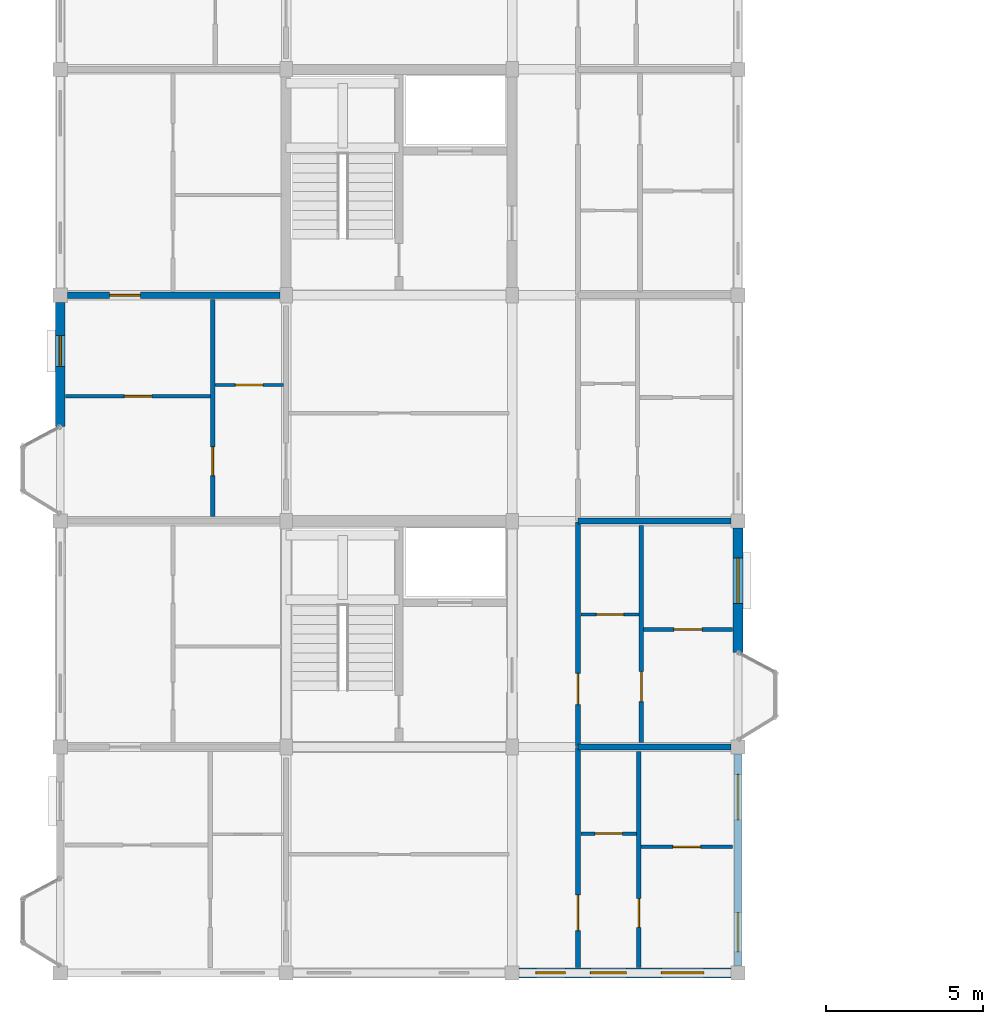
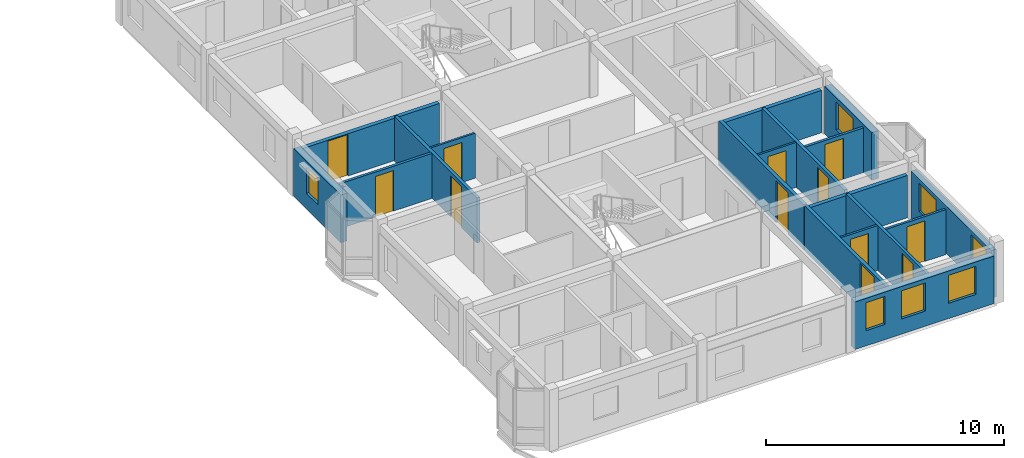
# One storey, part 13 of 23: 18 walls, 12 doors, 7 windows, 19 openings.
"""IFC4 building model written with IfcOpenShell, lengths in metres."""

from ifc_helpers import new_model, si_unit, direction, frame, frame_2d, origin, place, context, subcontext, project, spatial, rectangle, extrude, material, layer, layer_set, type_object, element, fill, save


model = new_model("IFC4")

# Units and contexts
model_context = context("Model", 3, precision=1e-05, world=origin(), true_north=direction((0.0, 1.0)))
body_context = subcontext(model_context, "Body", "Model", "MODEL_VIEW")
ifc_project = project(units=[si_unit("LENGTHUNIT", "METRE"), si_unit("AREAUNIT", "SQUARE_METRE"), si_unit("VOLUMEUNIT", "CUBIC_METRE"), si_unit("PLANEANGLEUNIT", "RADIAN"), si_unit("MASSUNIT", "GRAM", prefix="KILO"), si_unit("THERMODYNAMICTEMPERATUREUNIT", "KELVIN"), si_unit("POWERUNIT", "WATT")], contexts=[model_context])

# Site, building, storey
site_placement = place(None, origin())
site = spatial("IfcSite", under=ifc_project, at=site_placement, CompositionType="ELEMENT")
building_placement = place(site_placement, origin())
building = spatial("IfcBuilding", under=site, at=building_placement, Name="Tavuni Mirador Residences", CompositionType="ELEMENT")
storey_placement = place(building_placement, frame((0.0, 0.0, 42.300048828125)))
storey = spatial("IfcBuildingStorey", under=building, at=storey_placement, Name="L13", CompositionType="ELEMENT", Elevation=42.300048828125)

# Wall, opening, door
ifc_material_1 = material(Name="Precast concrete C40/50", Category="concrete")
ifc_layer_1 = layer(ifc_material_1, 0.1650390625, Name="Precast concrete C40/50", Category="concrete")
ifc_layer_set_1 = layer_set([ifc_layer_1], Name="Precast concrete C40/50")
wall_type_1 = type_object("IfcWallType", Name="WT-CORR165", PredefinedType="PARTITIONING", material=ifc_layer_set_1)
wall_1_placement = place(storey_placement, frame((20.10009765625, 7.375, 0.0), z_axis=(0.0, 0.0, 1.0), x_axis=(0.0, 1.0, 0.0)))
wall_1 = element("IfcWall", 1, at=wall_1_placement, inside=storey, type_object=wall_type_1, Name="CORW-BLK-A-L13-0-00", PredefinedType="PARTITIONING", context=body_context, shape_type="SweptSolid", body=[
    extrude(rectangle(XDim=7.0048828125, YDim=0.1650390625, at=frame_2d((3.50244140625, 0.0))), origin(), (0.0, 0.0, 1.0), 2.304931640625),
])
opening_1_placement = place(wall_1_placement, frame((1.175048828125, 0.0, 0.0)))
opening_1 = element("IfcOpeningElement", 2, at=opening_1_placement, cuts=wall_1, Name="Opening D-20", PredefinedType="OPENING", context=body_context, shape_type="SweptSolid", body=[
    extrude(rectangle(XDim=1.139892578125, YDim=2.179931640625, at=frame_2d((0.56982421875, 1.08984375))), frame((0.0, 0.092529296875, 0.0), z_axis=(0.0, -1.0, 0.0), x_axis=(1.0, 0.0, 0.0)), (0.0, 0.0, 1.0), 0.18505859375),
])
ifc_material_2 = material(Name="Solid core iroko timber", Category="wood")
door_type_1 = type_object("IfcDoorType", Name="DT-FD60-1140", OperationType="NOTDEFINED", PredefinedType="DOOR", material=ifc_material_2)
door_1_placement = place(opening_1_placement, origin())
door_1 = element("IfcDoor", 3, at=door_1_placement, inside=storey, type_object=door_type_1, Name="DR-2501", OperationType="SINGLE_SWING_RIGHT", OverallHeight=2.179931640625, OverallWidth=1.139892578125, PredefinedType="DOOR", context=body_context, shape_type="SweptSolid", body=[
    extrude(rectangle(XDim=1.139892578125, YDim=2.179931640625, at=frame_2d((0.56982421875, 1.08984375))), frame((0.0, 0.02490234375, 0.0), z_axis=(0.0, -1.0, 0.0), x_axis=(1.0, 0.0, 0.0)), (0.0, 0.0, 1.0), 0.050048828125),
])
fill(opening_1, door_1)

wall_2_placement = place(storey_placement, frame((20.10009765625, 14.419921875, 0.0), z_axis=(0.0, 0.0, 1.0), x_axis=(0.0, 1.0, 0.0)))
wall_2 = element("IfcWall", 4, at=wall_2_placement, inside=storey, type_object=wall_type_1, Name="CORW-BLK-A-L13-0-01", PredefinedType="PARTITIONING", context=body_context, shape_type="SweptSolid", body=[
    extrude(rectangle(XDim=7.16015625, YDim=0.1650390625, at=frame_2d((3.580078125, 0.0))), origin(), (0.0, 0.0, 1.0), 2.304931640625),
])
opening_2_placement = place(wall_2_placement, frame((1.330078125, 0.0, 0.0)))
opening_2 = element("IfcOpeningElement", 5, at=opening_2_placement, cuts=wall_2, Name="Opening D-03", PredefinedType="OPENING", context=body_context, shape_type="SweptSolid", body=[
    extrude(rectangle(XDim=1.0, YDim=2.14990234375, at=frame_2d((0.5, 1.074951171875))), frame((0.0, 0.092529296875, 0.0), z_axis=(0.0, -1.0, 0.0), x_axis=(1.0, 0.0, 0.0)), (0.0, 0.0, 1.0), 0.18505859375),
])
door_type_2 = type_object("IfcDoorType", Name="DT-FD60-1000", OperationType="NOTDEFINED", PredefinedType="DOOR", material=ifc_material_2)
door_2_placement = place(opening_2_placement, origin())
door_2 = element("IfcDoor", 6, at=door_2_placement, inside=storey, type_object=door_type_2, Name="DR-2502", OperationType="SINGLE_SWING_LEFT", OverallHeight=2.14990234375, OverallWidth=1.0, PredefinedType="DOOR", context=body_context, shape_type="SweptSolid", body=[
    extrude(rectangle(XDim=1.0, YDim=2.14990234375, at=frame_2d((0.5, 1.074951171875))), frame((0.0, 0.02490234375, 0.0), z_axis=(0.0, -1.0, 0.0), x_axis=(1.0, 0.0, 0.0)), (0.0, 0.0, 1.0), 0.050048828125),
])
fill(opening_2, door_2)

# Wall, opening, window
ifc_layer_2 = layer(ifc_material_1, 0.330078125, Name="Precast concrete C40/50", Category="concrete")
ifc_layer_set_2 = layer_set([ifc_layer_2], Name="Precast concrete C40/50")
wall_type_2 = type_object("IfcWallType", Name="WT-EXT-COR330", PredefinedType="SOLIDWALL", material=ifc_layer_set_2)
wall_3_placement = place(storey_placement, frame((25.199951171875, 17.419921875, 0.0), z_axis=(0.0, 0.0, 1.0), x_axis=(0.0, 1.0, 0.0)))
wall_3 = element("IfcWall", 7, at=wall_3_placement, inside=storey, type_object=wall_type_2, Name="EW-BLK-A-L13-E01", PredefinedType="SOLIDWALL", context=body_context, shape_type="SweptSolid", body=[
    extrude(rectangle(XDim=3.955078125, YDim=0.330078125, at=frame_2d((1.9775390625, 0.0))), origin(), (0.0, 0.0, 1.0), 2.43994140625),
])
opening_3_placement = place(wall_3_placement, frame((1.5576171875, 0.0, 0.780029296875)))
opening_3 = element("IfcOpeningElement", 8, at=opening_3_placement, cuts=wall_3, Name="Opening WN-30", PredefinedType="OPENING", context=body_context, shape_type="SweptSolid", body=[
    extrude(rectangle(XDim=1.449951171875, YDim=1.43994140625, at=frame_2d((0.72509765625, 0.719970703125))), frame((0.0, 0.175048828125, 0.0), z_axis=(0.0, -1.0, 0.0), x_axis=(1.0, 0.0, 0.0)), (0.0, 0.0, 1.0), 0.35009765625),
])
ifc_material_3 = material(Name="Laminated solar-control glass", Category="glass")
window_type_1 = type_object("IfcWindowType", Name="WNT-30", PartitioningType="SINGLE_PANEL", PredefinedType="WINDOW", material=ifc_material_3)
window_1_placement = place(opening_3_placement, origin())
window_1 = element("IfcWindow", 9, at=window_1_placement, inside=storey, type_object=window_type_1, Name="WIN-0466", OverallHeight=1.43994140625, OverallWidth=1.449951171875, PartitioningType="SINGLE_PANEL", PredefinedType="WINDOW", context=body_context, shape_type="SweptSolid", body=[
    extrude(rectangle(XDim=1.449951171875, YDim=1.43994140625, at=frame_2d((0.72509765625, 0.719970703125))), frame((0.0, 0.030029296875, 0.0), z_axis=(0.0, -1.0, 0.0), x_axis=(1.0, 0.0, 0.0)), (0.0, 0.0, 1.0), 0.06005859375),
])
fill(opening_3, window_1)

# Wall, openings, windows
ifc_material_4 = material(Name="Sgraffito lime-rendered precast concrete C40/50", Category="concrete")
ifc_layer_3 = layer(ifc_material_4, 0.2451171875, Name="Sgraffito lime-rendered precast concrete C40/50", Category="concrete")
ifc_layer_set_3 = layer_set([ifc_layer_3], Name="Sgraffito lime-rendered precast concrete C40/50")
wall_type_3 = type_object("IfcWallType", Name="WT-EXT-PC245", PredefinedType="SOLIDWALL", material=ifc_layer_set_3)
wall_4_placement = place(storey_placement, frame((25.199951171875, 7.425048828125, 0.0), z_axis=(0.0, 0.0, 1.0), x_axis=(0.0, 1.0, 0.0)))
wall_4 = element("IfcWall", 10, at=wall_4_placement, inside=storey, type_object=wall_type_3, Name="EW-BLK-A-L13-E00", PredefinedType="SOLIDWALL", context=body_context, shape_type="SweptSolid", body=[
    extrude(rectangle(XDim=6.75, YDim=0.2451171875, at=frame_2d((3.375, 0.0))), origin(), (0.0, 0.0, 1.0), 2.43994140625),
])
opening_4_placement = place(wall_4_placement, frame((0.449951171875, 0.0, 0.780029296875)))
opening_4 = element("IfcOpeningElement", 11, at=opening_4_placement, cuts=wall_4, Name="Opening WN-28", PredefinedType="OPENING", context=body_context, shape_type="SweptSolid", body=[
    extrude(rectangle(XDim=1.25, YDim=1.43994140625, at=frame_2d((0.625, 0.719970703125))), frame((0.0, 0.132568359375, 0.0), z_axis=(0.0, -1.0, 0.0), x_axis=(1.0, 0.0, 0.0)), (0.0, 0.0, 1.0), 0.26513671875),
])
opening_5_placement = place(wall_4_placement, frame((4.64990234375, 0.0, 0.780029296875)))
opening_5 = element("IfcOpeningElement", 12, at=opening_5_placement, cuts=wall_4, Name="Opening WN-30", PredefinedType="OPENING", context=body_context, shape_type="SweptSolid", body=[
    extrude(rectangle(XDim=1.449951171875, YDim=1.43994140625, at=frame_2d((0.72509765625, 0.719970703125))), frame((0.0, 0.132568359375, 0.0), z_axis=(0.0, -1.0, 0.0), x_axis=(1.0, 0.0, 0.0)), (0.0, 0.0, 1.0), 0.26513671875),
])
window_type_2 = type_object("IfcWindowType", Name="WNT-28", PartitioningType="SINGLE_PANEL", PredefinedType="WINDOW", material=ifc_material_3)
window_2_placement = place(opening_4_placement, origin())
window_2 = element("IfcWindow", 13, at=window_2_placement, inside=storey, type_object=window_type_2, Name="WIN-0464", OverallHeight=1.43994140625, OverallWidth=1.25, PartitioningType="SINGLE_PANEL", PredefinedType="WINDOW", context=body_context, shape_type="SweptSolid", body=[
    extrude(rectangle(XDim=1.25, YDim=1.43994140625, at=frame_2d((0.625, 0.719970703125))), frame((0.0, 0.030029296875, 0.0), z_axis=(0.0, -1.0, 0.0), x_axis=(1.0, 0.0, 0.0)), (0.0, 0.0, 1.0), 0.06005859375),
])
fill(opening_4, window_2)
window_3_placement = place(opening_5_placement, origin())
window_3 = element("IfcWindow", 14, at=window_3_placement, inside=storey, type_object=window_type_1, Name="WIN-0465", OverallHeight=1.43994140625, OverallWidth=1.449951171875, PartitioningType="SINGLE_PANEL", PredefinedType="WINDOW", context=body_context, shape_type="SweptSolid", body=[
    extrude(rectangle(XDim=1.449951171875, YDim=1.43994140625, at=frame_2d((0.72509765625, 0.719970703125))), frame((0.0, 0.030029296875, 0.0), z_axis=(0.0, -1.0, 0.0), x_axis=(1.0, 0.0, 0.0)), (0.0, 0.0, 1.0), 0.06005859375),
])
fill(opening_5, window_3)

ifc_layer_4 = layer(ifc_material_4, 0.31494140625, Name="Sgraffito lime-rendered precast concrete C40/50", Category="concrete")
ifc_layer_set_4 = layer_set([ifc_layer_4], Name="Sgraffito lime-rendered precast concrete C40/50")
wall_type_4 = type_object("IfcWallType", Name="WT-EXT-PC315", PredefinedType="SOLIDWALL", material=ifc_layer_set_4)
wall_5_placement = place(storey_placement, frame((18.22509765625, 7.199951171875, 0.0), z_axis=(0.0, 0.0, 1.0), x_axis=(1.0, 0.0, 0.0)))
wall_5 = element("IfcWall", 15, at=wall_5_placement, inside=storey, type_object=wall_type_4, Name="EW-BLK-A-L13-S02", PredefinedType="SOLIDWALL", context=body_context, shape_type="SweptSolid", body=[
    extrude(rectangle(XDim=6.75, YDim=0.31494140625, at=frame_2d((3.375, 0.0))), origin(), (0.0, 0.0, 1.0), 2.43994140625),
])
opening_6_placement = place(wall_5_placement, frame((0.53759765625, 0.0, 0.780029296875)))
opening_6 = element("IfcOpeningElement", 16, at=opening_6_placement, cuts=wall_5, Name="Opening WN-25", PredefinedType="OPENING", context=body_context, shape_type="SweptSolid", body=[
    extrude(rectangle(XDim=0.93994140625, YDim=1.43994140625, at=frame_2d((0.469970703125, 0.719970703125))), frame((0.0, 0.16748046875, 0.0), z_axis=(0.0, -1.0, 0.0), x_axis=(1.0, 0.0, 0.0)), (0.0, 0.0, 1.0), 0.3349609375),
])
opening_7_placement = place(wall_5_placement, frame((2.27001953125, 0.0, 0.780029296875)))
opening_7 = element("IfcOpeningElement", 17, at=opening_7_placement, cuts=wall_5, Name="Opening WN-27", PredefinedType="OPENING", context=body_context, shape_type="SweptSolid", body=[
    extrude(rectangle(XDim=1.14990234375, YDim=1.43994140625, at=frame_2d((0.574951171875, 0.719970703125))), frame((0.0, 0.16748046875, 0.0), z_axis=(0.0, -1.0, 0.0), x_axis=(1.0, 0.0, 0.0)), (0.0, 0.0, 1.0), 0.3349609375),
])
opening_8_placement = place(wall_5_placement, frame((4.53759765625, 0.0, 0.780029296875)))
opening_8 = element("IfcOpeningElement", 18, at=opening_8_placement, cuts=wall_5, Name="Opening WN-29", PredefinedType="OPENING", context=body_context, shape_type="SweptSolid", body=[
    extrude(rectangle(XDim=1.35009765625, YDim=1.43994140625, at=frame_2d((0.675048828125, 0.719970703125))), frame((0.0, 0.16748046875, 0.0), z_axis=(0.0, -1.0, 0.0), x_axis=(1.0, 0.0, 0.0)), (0.0, 0.0, 1.0), 0.3349609375),
])
window_type_3 = type_object("IfcWindowType", Name="WNT-25", PartitioningType="SINGLE_PANEL", PredefinedType="WINDOW", material=ifc_material_3)
window_4_placement = place(opening_6_placement, origin())
window_4 = element("IfcWindow", 19, at=window_4_placement, inside=storey, type_object=window_type_3, Name="WIN-0461", OverallHeight=1.43994140625, OverallWidth=0.93994140625, PartitioningType="SINGLE_PANEL", PredefinedType="WINDOW", context=body_context, shape_type="SweptSolid", body=[
    extrude(rectangle(XDim=0.93994140625, YDim=1.43994140625, at=frame_2d((0.469970703125, 0.719970703125))), frame((0.0, 0.030029296875, 0.0), z_axis=(0.0, -1.0, 0.0), x_axis=(1.0, 0.0, 0.0)), (0.0, 0.0, 1.0), 0.06005859375),
])
fill(opening_6, window_4)
window_type_4 = type_object("IfcWindowType", Name="WNT-27", PartitioningType="SINGLE_PANEL", PredefinedType="WINDOW", material=ifc_material_3)
window_5_placement = place(opening_7_placement, origin())
window_5 = element("IfcWindow", 20, at=window_5_placement, inside=storey, type_object=window_type_4, Name="WIN-0462", OverallHeight=1.43994140625, OverallWidth=1.14990234375, PartitioningType="SINGLE_PANEL", PredefinedType="WINDOW", context=body_context, shape_type="SweptSolid", body=[
    extrude(rectangle(XDim=1.14990234375, YDim=1.43994140625, at=frame_2d((0.574951171875, 0.719970703125))), frame((0.0, 0.030029296875, 0.0), z_axis=(0.0, -1.0, 0.0), x_axis=(1.0, 0.0, 0.0)), (0.0, 0.0, 1.0), 0.06005859375),
])
fill(opening_7, window_5)
window_type_5 = type_object("IfcWindowType", Name="WNT-29", PartitioningType="SINGLE_PANEL", PredefinedType="WINDOW", material=ifc_material_3)
window_6_placement = place(opening_8_placement, origin())
window_6 = element("IfcWindow", 21, at=window_6_placement, inside=storey, type_object=window_type_5, Name="WIN-0463", OverallHeight=1.43994140625, OverallWidth=1.35009765625, PartitioningType="SINGLE_PANEL", PredefinedType="WINDOW", context=body_context, shape_type="SweptSolid", body=[
    extrude(rectangle(XDim=1.35009765625, YDim=1.43994140625, at=frame_2d((0.675048828125, 0.719970703125))), frame((0.0, 0.030029296875, 0.0), z_axis=(0.0, -1.0, 0.0), x_axis=(1.0, 0.0, 0.0)), (0.0, 0.0, 1.0), 0.06005859375),
])
fill(opening_8, window_6)

# Wall, opening, window
wall_6_placement = place(storey_placement, frame((3.60009765625, 28.574951171875, 0.0), z_axis=(0.0, 0.0, 1.0), x_axis=(0.0, -1.0, 0.0)))
wall_6 = element("IfcWall", 22, at=wall_6_placement, inside=storey, type_object=wall_type_4, Name="EW-BLK-A-L13-W02", PredefinedType="SOLIDWALL", context=body_context, shape_type="SweptSolid", body=[
    extrude(rectangle(XDim=3.954833984375, YDim=0.31494140625, at=frame_2d((1.9775390625, 0.0))), origin(), (0.0, 0.0, 1.0), 2.43994140625),
])
opening_9_placement = place(wall_6_placement, frame((1.0625, 0.0, 0.780029296875)))
opening_9 = element("IfcOpeningElement", 23, at=opening_9_placement, cuts=wall_6, Name="Opening WN-18", PredefinedType="OPENING", context=body_context, shape_type="SweptSolid", body=[
    extrude(rectangle(XDim=0.97998046875, YDim=1.360107421875, at=frame_2d((0.489990234375, 0.68017578125))), frame((0.0, 0.16748046875, 0.0), z_axis=(0.0, -1.0, 0.0), x_axis=(1.0, 0.0, 0.0)), (0.0, 0.0, 1.0), 0.3349609375),
])
window_type_6 = type_object("IfcWindowType", Name="WNT-18", PartitioningType="SINGLE_PANEL", PredefinedType="WINDOW", material=ifc_material_3)
window_7_placement = place(opening_9_placement, origin())
window_7 = element("IfcWindow", 24, at=window_7_placement, inside=storey, type_object=window_type_6, Name="WIN-0484", OverallHeight=1.360107421875, OverallWidth=0.97998046875, PartitioningType="SINGLE_PANEL", PredefinedType="WINDOW", context=body_context, shape_type="SweptSolid", body=[
    extrude(rectangle(XDim=0.97998046875, YDim=1.360107421875, at=frame_2d((0.489990234375, 0.68017578125))), frame((0.0, 0.030029296875, 0.0), z_axis=(0.0, -1.0, 0.0), x_axis=(1.0, 0.0, 0.0)), (0.0, 0.0, 1.0), 0.06005859375),
])
fill(opening_9, window_7)

# Wall, opening, door
ifc_material_5 = material(Name="Acoustic gypsum and concrete block partition", Category="concrete")
ifc_layer_5 = layer(ifc_material_5, 0.094970703125, Name="Acoustic gypsum and concrete block partition", Category="concrete")
ifc_layer_set_5 = layer_set([ifc_layer_5], Name="Acoustic gypsum and concrete block partition")
wall_type_5 = type_object("IfcWallType", Name="WT-PART095", PredefinedType="PARTITIONING", material=ifc_layer_set_5)
wall_7_placement = place(storey_placement, frame((20.18994140625, 18.6201171875, 0.0), z_axis=(0.0, 0.0, 1.0), x_axis=(1.0, 0.0, 0.0)))
wall_7 = element("IfcWall", 25, at=wall_7_placement, inside=storey, type_object=wall_type_5, Name="PW-BLK-A-L13-E01-IN1", PredefinedType="PARTITIONING", context=body_context, shape_type="SweptSolid", body=[
    extrude(rectangle(XDim=1.860107421875, YDim=0.094970703125, at=frame_2d((0.93017578125, 0.0))), origin(), (0.0, 0.0, 1.0), 2.304931640625),
])
opening_10_placement = place(wall_7_placement, frame((0.4951171875, 0.0, 0.0)))
opening_10 = element("IfcOpeningElement", 26, at=opening_10_placement, cuts=wall_7, Name="Opening D-10", PredefinedType="OPENING", context=body_context, shape_type="SweptSolid", body=[
    extrude(rectangle(XDim=0.8701171875, YDim=2.050048828125, at=frame_2d((0.43505859375, 1.02490234375))), frame((0.0, 0.0576171875, 0.0), z_axis=(0.0, -1.0, 0.0), x_axis=(1.0, 0.0, 0.0)), (0.0, 0.0, 1.0), 0.114990234375),
])
door_type_3 = type_object("IfcDoorType", Name="DT-WC870", OperationType="NOTDEFINED", PredefinedType="DOOR", material=ifc_material_2)
door_3_placement = place(opening_10_placement, origin())
door_3 = element("IfcDoor", 27, at=door_3_placement, inside=storey, type_object=door_type_3, Name="DR-3357", OperationType="SINGLE_SWING_RIGHT", OverallHeight=2.050048828125, OverallWidth=0.8701171875, PredefinedType="DOOR", context=body_context, shape_type="SweptSolid", body=[
    extrude(rectangle(XDim=0.8701171875, YDim=2.050048828125, at=frame_2d((0.43505859375, 1.02490234375))), frame((0.0, 0.02490234375, 0.0), z_axis=(0.0, -1.0, 0.0), x_axis=(1.0, 0.0, 0.0)), (0.0, 0.0, 1.0), 0.050048828125),
])
fill(opening_10, door_3)

wall_8_placement = place(storey_placement, frame((8.530029296875, 25.93994140625, 0.0), z_axis=(0.0, 0.0, 1.0), x_axis=(1.0, 0.0, 0.0)))
wall_8 = element("IfcWall", 28, at=wall_8_placement, inside=storey, type_object=wall_type_5, Name="PW-BLK-A-L13-W02-IN1", PredefinedType="PARTITIONING", context=body_context, shape_type="SweptSolid", body=[
    extrude(rectangle(XDim=2.179931640625, YDim=0.094970703125, at=frame_2d((1.08984375, 0.0))), origin(), (0.0, 0.0, 1.0), 2.304931640625),
])
opening_11_placement = place(wall_8_placement, frame((0.655029296875, 0.0, 0.0)))
opening_11 = element("IfcOpeningElement", 29, at=opening_11_placement, cuts=wall_8, Name="Opening D-10", PredefinedType="OPENING", context=body_context, shape_type="SweptSolid", body=[
    extrude(rectangle(XDim=0.8701171875, YDim=2.050048828125, at=frame_2d((0.43505859375, 1.02490234375))), frame((0.0, 0.0576171875, 0.0), z_axis=(0.0, -1.0, 0.0), x_axis=(1.0, 0.0, 0.0)), (0.0, 0.0, 1.0), 0.114990234375),
])
door_4_placement = place(opening_11_placement, origin())
door_4 = element("IfcDoor", 30, at=door_4_placement, inside=storey, type_object=door_type_3, Name="DR-3361", OperationType="SINGLE_SWING_LEFT", OverallHeight=2.050048828125, OverallWidth=0.8701171875, PredefinedType="DOOR", context=body_context, shape_type="SweptSolid", body=[
    extrude(rectangle(XDim=0.8701171875, YDim=2.050048828125, at=frame_2d((0.43505859375, 1.02490234375))), frame((0.0, 0.02490234375, 0.0), z_axis=(0.0, -1.0, 0.0), x_axis=(1.0, 0.0, 0.0)), (0.0, 0.0, 1.0), 0.050048828125),
])
fill(opening_11, door_4)

ifc_layer_6 = layer(ifc_material_5, 0.10498046875, Name="Acoustic gypsum and concrete block partition", Category="concrete")
ifc_layer_set_6 = layer_set([ifc_layer_6], Name="Acoustic gypsum and concrete block partition")
wall_type_6 = type_object("IfcWallType", Name="WT-PART105", PredefinedType="PARTITIONING", material=ifc_layer_set_6)
wall_9_placement = place(storey_placement, frame((20.18994140625, 11.639892578125, 0.0), z_axis=(0.0, 0.0, 1.0), x_axis=(1.0, 0.0, 0.0)))
wall_9 = element("IfcWall", 31, at=wall_9_placement, inside=storey, type_object=wall_type_6, Name="PW-BLK-A-L13-E00-IN1", PredefinedType="PARTITIONING", context=body_context, shape_type="SweptSolid", body=[
    extrude(rectangle(XDim=1.780029296875, YDim=0.10498046875, at=frame_2d((0.89013671875, 0.0))), origin(), (0.0, 0.0, 1.0), 2.304931640625),
])
opening_12_placement = place(wall_9_placement, frame((0.455078125, 0.0, 0.0)))
opening_12 = element("IfcOpeningElement", 32, at=opening_12_placement, cuts=wall_9, Name="Opening D-10", PredefinedType="OPENING", context=body_context, shape_type="SweptSolid", body=[
    extrude(rectangle(XDim=0.8701171875, YDim=2.050048828125, at=frame_2d((0.43505859375, 1.02490234375))), frame((0.0, 0.0625, 0.0), z_axis=(0.0, -1.0, 0.0), x_axis=(1.0, 0.0, 0.0)), (0.0, 0.0, 1.0), 0.125),
])
door_5_placement = place(opening_12_placement, origin())
door_5 = element("IfcDoor", 33, at=door_5_placement, inside=storey, type_object=door_type_3, Name="DR-3352", OperationType="SINGLE_SWING_LEFT", OverallHeight=2.050048828125, OverallWidth=0.8701171875, PredefinedType="DOOR", context=body_context, shape_type="SweptSolid", body=[
    extrude(rectangle(XDim=0.8701171875, YDim=2.050048828125, at=frame_2d((0.43505859375, 1.02490234375))), frame((0.0, 0.02490234375, 0.0), z_axis=(0.0, -1.0, 0.0), x_axis=(1.0, 0.0, 0.0)), (0.0, 0.0, 1.0), 0.050048828125),
])
fill(opening_12, door_5)

ifc_layer_7 = layer(ifc_material_5, 0.114990234375, Name="Acoustic gypsum and concrete block partition", Category="concrete")
ifc_layer_set_7 = layer_set([ifc_layer_7], Name="Acoustic gypsum and concrete block partition")
wall_type_7 = type_object("IfcWallType", Name="WT-PART115", PredefinedType="PARTITIONING", material=ifc_layer_set_7)
wall_10_placement = place(storey_placement, frame((22.110107421875, 11.219970703125, 0.0), z_axis=(0.0, 0.0, 1.0), x_axis=(1.0, 0.0, 0.0)))
wall_10 = element("IfcWall", 34, at=wall_10_placement, inside=storey, type_object=wall_type_7, Name="PW-BLK-A-L13-E00-OUT", PredefinedType="PARTITIONING", context=body_context, shape_type="SweptSolid", body=[
    extrude(rectangle(XDim=2.914794921875, YDim=0.114990234375, at=frame_2d((1.45751953125, 0.0))), origin(), (0.0, 0.0, 1.0), 2.304931640625),
])
opening_13_placement = place(wall_10_placement, frame((1.017578125, 0.0, 0.0)))
opening_13 = element("IfcOpeningElement", 35, at=opening_13_placement, cuts=wall_10, Name="Opening D-08", PredefinedType="OPENING", context=body_context, shape_type="SweptSolid", body=[
    extrude(rectangle(XDim=0.8798828125, YDim=2.080078125, at=frame_2d((0.43994140625, 1.0400390625))), frame((0.0, 0.0673828125, 0.0), z_axis=(0.0, -1.0, 0.0), x_axis=(1.0, 0.0, 0.0)), (0.0, 0.0, 1.0), 0.135009765625),
])
door_type_4 = type_object("IfcDoorType", Name="DT-BED880", OperationType="NOTDEFINED", PredefinedType="DOOR", material=ifc_material_2)
door_6_placement = place(opening_13_placement, origin())
door_6 = element("IfcDoor", 36, at=door_6_placement, inside=storey, type_object=door_type_4, Name="DR-3351", OperationType="SINGLE_SWING_RIGHT", OverallHeight=2.080078125, OverallWidth=0.8798828125, PredefinedType="DOOR", context=body_context, shape_type="SweptSolid", body=[
    extrude(rectangle(XDim=0.8798828125, YDim=2.080078125, at=frame_2d((0.43994140625, 1.0400390625))), frame((0.0, 0.02490234375, 0.0), z_axis=(0.0, -1.0, 0.0), x_axis=(1.0, 0.0, 0.0)), (0.0, 0.0, 1.0), 0.050048828125),
])
fill(opening_13, door_6)

ifc_layer_8 = layer(ifc_material_5, 0.125, Name="Acoustic gypsum and concrete block partition", Category="concrete")
ifc_layer_set_8 = layer_set([ifc_layer_8], Name="Acoustic gypsum and concrete block partition")
wall_type_8 = type_object("IfcWallType", Name="WT-PART125", PredefinedType="PARTITIONING", material=ifc_layer_set_8)
wall_11_placement = place(storey_placement, frame((22.18994140625, 18.139892578125, 0.0), z_axis=(0.0, 0.0, 1.0), x_axis=(1.0, 0.0, 0.0)))
wall_11 = element("IfcWall", 37, at=wall_11_placement, inside=storey, type_object=wall_type_8, Name="PW-BLK-A-L13-E01-OUT", PredefinedType="PARTITIONING", context=body_context, shape_type="SweptSolid", body=[
    extrude(rectangle(XDim=2.8349609375, YDim=0.125, at=frame_2d((1.41748046875, 0.0))), origin(), (0.0, 0.0, 1.0), 2.304931640625),
])
opening_14_placement = place(wall_11_placement, frame((0.967529296875, 0.0, 0.0)))
opening_14 = element("IfcOpeningElement", 38, at=opening_14_placement, cuts=wall_11, Name="Opening D-07", PredefinedType="OPENING", context=body_context, shape_type="SweptSolid", body=[
    extrude(rectangle(XDim=0.89990234375, YDim=2.10009765625, at=frame_2d((0.449951171875, 1.050048828125))), frame((0.0, 0.072509765625, 0.0), z_axis=(0.0, -1.0, 0.0), x_axis=(1.0, 0.0, 0.0)), (0.0, 0.0, 1.0), 0.14501953125),
])
door_type_5 = type_object("IfcDoorType", Name="DT-BED900", OperationType="NOTDEFINED", PredefinedType="DOOR", material=ifc_material_2)
door_7_placement = place(opening_14_placement, origin())
door_7 = element("IfcDoor", 39, at=door_7_placement, inside=storey, type_object=door_type_5, Name="DR-3356", OperationType="SINGLE_SWING_LEFT", OverallHeight=2.10009765625, OverallWidth=0.89990234375, PredefinedType="DOOR", context=body_context, shape_type="SweptSolid", body=[
    extrude(rectangle(XDim=0.89990234375, YDim=2.10009765625, at=frame_2d((0.449951171875, 1.050048828125))), frame((0.0, 0.02490234375, 0.0), z_axis=(0.0, -1.0, 0.0), x_axis=(1.0, 0.0, 0.0)), (0.0, 0.0, 1.0), 0.050048828125),
])
fill(opening_14, door_7)

wall_12_placement = place(storey_placement, frame((3.77490234375, 25.580078125, 0.0), z_axis=(0.0, 0.0, 1.0), x_axis=(1.0, 0.0, 0.0)))
wall_12 = element("IfcWall", 40, at=wall_12_placement, inside=storey, type_object=wall_type_8, Name="PW-BLK-A-L13-W02-OUT", PredefinedType="PARTITIONING", context=body_context, shape_type="SweptSolid", body=[
    extrude(rectangle(XDim=4.614990234375, YDim=0.125, at=frame_2d((2.3076171875, 0.0))), origin(), (0.0, 0.0, 1.0), 2.304931640625),
])
opening_15_placement = place(wall_12_placement, frame((1.867431640625, 0.0, 0.0)))
opening_15 = element("IfcOpeningElement", 41, at=opening_15_placement, cuts=wall_12, Name="Opening D-08", PredefinedType="OPENING", context=body_context, shape_type="SweptSolid", body=[
    extrude(rectangle(XDim=0.8798828125, YDim=2.080078125, at=frame_2d((0.43994140625, 1.0400390625))), frame((0.0, 0.072509765625, 0.0), z_axis=(0.0, -1.0, 0.0), x_axis=(1.0, 0.0, 0.0)), (0.0, 0.0, 1.0), 0.14501953125),
])
door_8_placement = place(opening_15_placement, origin())
door_8 = element("IfcDoor", 42, at=door_8_placement, inside=storey, type_object=door_type_4, Name="DR-3360", OperationType="SINGLE_SWING_RIGHT", OverallHeight=2.080078125, OverallWidth=0.8798828125, PredefinedType="DOOR", context=body_context, shape_type="SweptSolid", body=[
    extrude(rectangle(XDim=0.8798828125, YDim=2.080078125, at=frame_2d((0.43994140625, 1.0400390625))), frame((0.0, 0.02490234375, 0.0), z_axis=(0.0, -1.0, 0.0), x_axis=(1.0, 0.0, 0.0)), (0.0, 0.0, 1.0), 0.050048828125),
])
fill(opening_15, door_8)

ifc_layer_9 = layer(ifc_material_5, 0.139892578125, Name="Acoustic gypsum and concrete block partition", Category="concrete")
ifc_layer_set_9 = layer_set([ifc_layer_9], Name="Acoustic gypsum and concrete block partition")
wall_type_9 = type_object("IfcWallType", Name="WT-PART140", PredefinedType="PARTITIONING", material=ifc_layer_set_9)
wall_13_placement = place(storey_placement, frame((22.0400390625, 7.375, 0.0), z_axis=(0.0, 0.0, 1.0), x_axis=(0.0, 1.0, 0.0)))
wall_13 = element("IfcWall", 43, at=wall_13_placement, inside=storey, type_object=wall_type_9, Name="PW-BLK-A-L13-E00-MID", PredefinedType="PARTITIONING", context=body_context, shape_type="SweptSolid", body=[
    extrude(rectangle(XDim=6.885009765625, YDim=0.139892578125, at=frame_2d((3.4423828125, 0.0))), origin(), (0.0, 0.0, 1.0), 2.304931640625),
])
opening_16_placement = place(wall_13_placement, frame((1.27490234375, 0.0, 0.0)))
opening_16 = element("IfcOpeningElement", 44, at=opening_16_placement, cuts=wall_13, Name="Opening D-06", PredefinedType="OPENING", context=body_context, shape_type="SweptSolid", body=[
    extrude(rectangle(XDim=0.919921875, YDim=2.10009765625, at=frame_2d((0.4599609375, 1.050048828125))), frame((0.0, 0.080078125, 0.0), z_axis=(0.0, -1.0, 0.0), x_axis=(1.0, 0.0, 0.0)), (0.0, 0.0, 1.0), 0.159912109375),
])
door_type_6 = type_object("IfcDoorType", Name="DT-INT920", OperationType="NOTDEFINED", PredefinedType="DOOR", material=ifc_material_2)
door_9_placement = place(opening_16_placement, origin())
door_9 = element("IfcDoor", 45, at=door_9_placement, inside=storey, type_object=door_type_6, Name="DR-3353", OperationType="SINGLE_SWING_RIGHT", OverallHeight=2.10009765625, OverallWidth=0.919921875, PredefinedType="DOOR", context=body_context, shape_type="SweptSolid", body=[
    extrude(rectangle(XDim=0.919921875, YDim=2.10009765625, at=frame_2d((0.4599609375, 1.050048828125))), frame((0.0, 0.02490234375, 0.0), z_axis=(0.0, -1.0, 0.0), x_axis=(1.0, 0.0, 0.0)), (0.0, 0.0, 1.0), 0.050048828125),
])
fill(opening_16, door_9)

ifc_layer_10 = layer(ifc_material_5, 0.14990234375, Name="Acoustic gypsum and concrete block partition", Category="concrete")
ifc_layer_set_10 = layer_set([ifc_layer_10], Name="Acoustic gypsum and concrete block partition")
wall_type_10 = type_object("IfcWallType", Name="WT-PART150", PredefinedType="PARTITIONING", material=ifc_layer_set_10)
wall_14_placement = place(storey_placement, frame((22.1201171875, 14.5400390625, 0.0), z_axis=(0.0, 0.0, 1.0), x_axis=(0.0, 1.0, 0.0)))
wall_14 = element("IfcWall", 46, at=wall_14_placement, inside=storey, type_object=wall_type_10, Name="PW-BLK-A-L13-E01-MID", PredefinedType="PARTITIONING", context=body_context, shape_type="SweptSolid", body=[
    extrude(rectangle(XDim=6.919921875, YDim=0.14990234375, at=frame_2d((3.4599609375, 0.0))), origin(), (0.0, 0.0, 1.0), 2.304931640625),
])
opening_17_placement = place(wall_14_placement, frame((1.31005859375, 0.0, 0.0)))
opening_17 = element("IfcOpeningElement", 47, at=opening_17_placement, cuts=wall_14, Name="Opening D-05", PredefinedType="OPENING", context=body_context, shape_type="SweptSolid", body=[
    extrude(rectangle(XDim=0.949951171875, YDim=2.10009765625, at=frame_2d((0.47509765625, 1.050048828125))), frame((0.0, 0.0849609375, 0.0), z_axis=(0.0, -1.0, 0.0), x_axis=(1.0, 0.0, 0.0)), (0.0, 0.0, 1.0), 0.169921875),
])
door_type_7 = type_object("IfcDoorType", Name="DT-INT950", OperationType="NOTDEFINED", PredefinedType="DOOR", material=ifc_material_2)
door_10_placement = place(opening_17_placement, origin())
door_10 = element("IfcDoor", 48, at=door_10_placement, inside=storey, type_object=door_type_7, Name="DR-3358", OperationType="SINGLE_SWING_LEFT", OverallHeight=2.10009765625, OverallWidth=0.949951171875, PredefinedType="DOOR", context=body_context, shape_type="SweptSolid", body=[
    extrude(rectangle(XDim=0.949951171875, YDim=2.10009765625, at=frame_2d((0.47509765625, 1.050048828125))), frame((0.0, 0.02490234375, 0.0), z_axis=(0.0, -1.0, 0.0), x_axis=(1.0, 0.0, 0.0)), (0.0, 0.0, 1.0), 0.050048828125),
])
fill(opening_17, door_10)

wall_15_placement = place(storey_placement, frame((8.4599609375, 21.739990234375, 0.0), z_axis=(0.0, 0.0, 1.0), x_axis=(0.0, 1.0, 0.0)))
wall_15 = element("IfcWall", 49, at=wall_15_placement, inside=storey, type_object=wall_type_10, Name="PW-BLK-A-L13-W02-MID", PredefinedType="PARTITIONING", context=body_context, shape_type="SweptSolid", body=[
    extrude(rectangle(XDim=6.919921875, YDim=0.14990234375, at=frame_2d((3.4599609375, 0.0))), origin(), (0.0, 0.0, 1.0), 2.304931640625),
])
opening_18_placement = place(wall_15_placement, frame((1.31005859375, 0.0, 0.0)))
opening_18 = element("IfcOpeningElement", 50, at=opening_18_placement, cuts=wall_15, Name="Opening D-06", PredefinedType="OPENING", context=body_context, shape_type="SweptSolid", body=[
    extrude(rectangle(XDim=0.919921875, YDim=2.10009765625, at=frame_2d((0.4599609375, 1.050048828125))), frame((0.0, 0.0849609375, 0.0), z_axis=(0.0, -1.0, 0.0), x_axis=(1.0, 0.0, 0.0)), (0.0, 0.0, 1.0), 0.169921875),
])
door_11_placement = place(opening_18_placement, origin())
door_11 = element("IfcDoor", 51, at=door_11_placement, inside=storey, type_object=door_type_6, Name="DR-3362", OperationType="SINGLE_SWING_RIGHT", OverallHeight=2.10009765625, OverallWidth=0.919921875, PredefinedType="DOOR", context=body_context, shape_type="SweptSolid", body=[
    extrude(rectangle(XDim=0.919921875, YDim=2.10009765625, at=frame_2d((0.4599609375, 1.050048828125))), frame((0.0, 0.02490234375, 0.0), z_axis=(0.0, -1.0, 0.0), x_axis=(1.0, 0.0, 0.0)), (0.0, 0.0, 1.0), 0.050048828125),
])
fill(opening_18, door_11)

# Walls
ifc_layer_11 = layer(ifc_material_1, 0.195068359375, Name="Precast concrete C40/50", Category="concrete")
ifc_layer_set_11 = layer_set([ifc_layer_11], Name="Precast concrete C40/50")
wall_type_11 = type_object("IfcWallType", Name="WT-XW195", PredefinedType="SOLIDWALL", material=ifc_layer_set_11)
for number, where, z_axis, x_axis, name in (
    (52, (20.10009765625, 14.39990234375, 0.0), (0.0, 0.0, 1.0), (1.0, 0.0, 0.0), "XW-BLK-A-L13-E-01"),
    (53, (20.10009765625, 21.60009765625, 0.0), (0.0, 0.0, 1.0), (1.0, 0.0, 0.0), "XW-BLK-A-L13-E-02"),
):
    element("IfcWall", number, at=place(storey_placement, frame(where, z_axis=z_axis, x_axis=x_axis)), inside=storey, type_object=wall_type_11, Name=name, PredefinedType="SOLIDWALL", context=body_context, shape_type="SweptSolid", body=[
        extrude(rectangle(XDim=4.875, YDim=0.195068359375, at=frame_2d((2.4375, 0.0))), origin(), (0.0, 0.0, 1.0), 2.169921875),
    ])

# Wall, opening, door
wall_16_placement = place(storey_placement, frame((3.824951171875, 28.800048828125, 0.0), z_axis=(0.0, 0.0, 1.0), x_axis=(1.0, 0.0, 0.0)))
wall_16 = element("IfcWall", 54, at=wall_16_placement, inside=storey, type_object=wall_type_11, Name="XW-BLK-A-L13-W-03", PredefinedType="SOLIDWALL", context=body_context, shape_type="SweptSolid", body=[
    extrude(rectangle(XDim=6.775146484375, YDim=0.195068359375, at=frame_2d((3.3876953125, 0.0))), origin(), (0.0, 0.0, 1.0), 2.169921875),
])
opening_19_placement = place(wall_16_placement, frame((1.35009765625, 0.0, 0.0)))
opening_19 = element("IfcOpeningElement", 55, at=opening_19_placement, cuts=wall_16, Name="Opening D-04", PredefinedType="OPENING", context=body_context, shape_type="SweptSolid", body=[
    extrude(rectangle(XDim=0.97998046875, YDim=2.1201171875, at=frame_2d((0.489990234375, 1.06005859375))), frame((0.0, 0.107421875, 0.0), z_axis=(0.0, -1.0, 0.0), x_axis=(1.0, 0.0, 0.0)), (0.0, 0.0, 1.0), 0.215087890625),
])
door_type_8 = type_object("IfcDoorType", Name="DT-FD60-980", OperationType="NOTDEFINED", PredefinedType="DOOR", material=ifc_material_2)
door_12_placement = place(opening_19_placement, origin())
door_12 = element("IfcDoor", 56, at=door_12_placement, inside=storey, type_object=door_type_8, Name="DR-4701", OperationType="SINGLE_SWING_RIGHT", OverallHeight=2.1201171875, OverallWidth=0.97998046875, PredefinedType="DOOR", context=body_context, shape_type="SweptSolid", body=[
    extrude(rectangle(XDim=0.97998046875, YDim=2.1201171875, at=frame_2d((0.489990234375, 1.06005859375))), frame((0.0, 0.02490234375, 0.0), z_axis=(0.0, -1.0, 0.0), x_axis=(1.0, 0.0, 0.0)), (0.0, 0.0, 1.0), 0.050048828125),
])
fill(opening_19, door_12)

save(model, "model.ifc")
